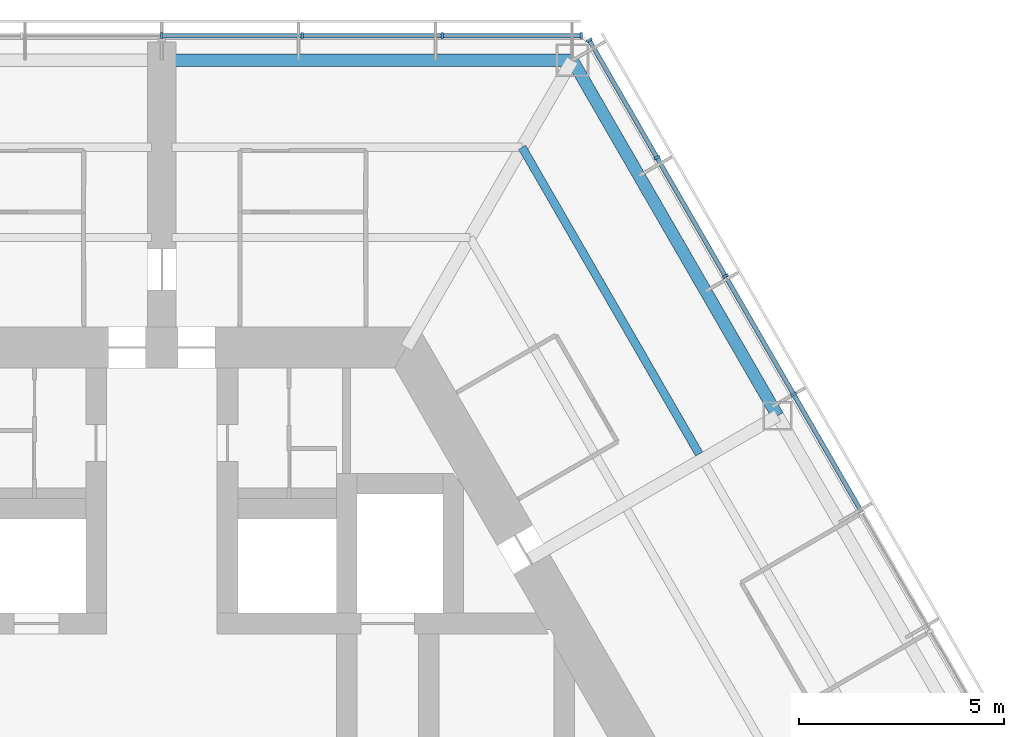
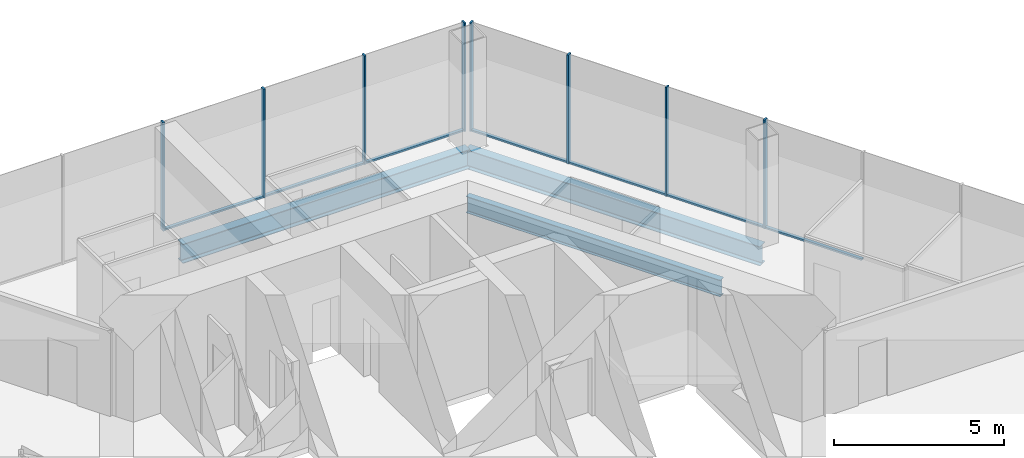
# One storey, part 8 of 18: 15 members, 3 beams, 2 elements without a shape of their own.
"""IFC4 building model written with IfcOpenShell, lengths in metres."""

import ifcopenshell
import ifcopenshell.guid

model = None  # the IFC model being written
_history = None  # IfcOwnerHistory: only IFC2X3 demands one
_inside = {}  # id of a spatial element -> (the spatial element, [elements in it])
_under = {}  # id of a project, library or spatial element -> (it, [spatial elements below it])
_declared = {}  # id of a project -> (the project, [libraries it declares])
_typed = {}  # id of a type object -> (the type object, [elements of that type])
_made_of = {}  # id of a material, layer set ... -> (it, [elements and type objects made of it])


def new_model(schema):
    """Start an empty IFC model of exactly this schema.

    Asked for "IFC4X3", IfcOpenShell would pick the latest addendum, in which some entities
    have other attributes; the version numbers below select the first issue.
    IFC2X3 requires an IfcOwnerHistory on every rooted entity: one is made here for all.
    """
    global model, _history
    if schema == "IFC4X3":
        model = ifcopenshell.file(schema_version=(4, 3, 0, 0))
    else:
        model = ifcopenshell.file(schema=schema)
    _inside.clear()
    _under.clear()
    _declared.clear()
    _typed.clear()
    _made_of.clear()
    _history = None
    if model.schema == "IFC2X3":
        org = make("IfcOrganization", Name="unknown")
        user = make(
            "IfcPersonAndOrganization",
            ThePerson=make("IfcPerson", FamilyName="unknown"),
            TheOrganization=org,
        )
        app = make(
            "IfcApplication",
            ApplicationDeveloper=org,
            Version="unknown",
            ApplicationFullName="unknown",
            ApplicationIdentifier="unknown",
        )
        _history = make(
            "IfcOwnerHistory",
            OwningUser=user,
            OwningApplication=app,
            ChangeAction="ADDED",
            CreationDate=0,
        )
    return model


def make(cls, **values):
    """One entity of the class cls with the attributes given. An attribute that is None is left unset."""
    return model.create_entity(
        cls, **{name: value for name, value in values.items() if value is not None}
    )


def rooted(cls, **values):
    """An entity with a GlobalId (a new one), such as an element, a storey or a relation."""
    return make(cls, GlobalId=ifcopenshell.guid.new(), OwnerHistory=_history, **values)


def si_unit(unit_type, name, prefix=None):
    """IfcSIUnit, for example si_unit("LENGTHUNIT", "METRE", prefix="MILLI")."""
    return make("IfcSIUnit", UnitType=unit_type, Prefix=prefix, Name=name)


def assignment(units):
    """IfcUnitAssignment: the units of a project."""
    return None if units is None else make("IfcUnitAssignment", Units=units)


def point(xyz):
    """IfcCartesianPoint."""
    return None if xyz is None else make("IfcCartesianPoint", Coordinates=xyz)


def direction(xyz):
    """IfcDirection."""
    return None if xyz is None else make("IfcDirection", DirectionRatios=xyz)


def frame(location, z_axis=None, x_axis=None):
    """IfcAxis2Placement3D, a coordinate frame: its origin and axes. An axis left out is left unset."""
    return make(
        "IfcAxis2Placement3D",
        Location=point(location),
        Axis=direction(z_axis),
        RefDirection=direction(x_axis),
    )


def frame_2d(location, x_axis=None):
    """IfcAxis2Placement2D, a coordinate frame in the plane: its origin and x axis."""
    return make(
        "IfcAxis2Placement2D", Location=point(location), RefDirection=direction(x_axis)
    )


def origin():
    """The frame at (0, 0, 0) with its axes left unset."""
    return frame((0.0, 0.0, 0.0))


def origin_2d():
    """The frame at (0, 0) in the plane with its x axis left unset."""
    return frame_2d((0.0, 0.0))


def place(relative_to, where):
    """IfcLocalPlacement: puts the frame where relative to a parent placement (None: the world)."""
    return make(
        "IfcLocalPlacement", PlacementRelTo=relative_to, RelativePlacement=where
    )


def context(
    kind, dimensions, precision=None, world=None, true_north=None, identifier=None
):
    """IfcGeometricRepresentationContext, for example the 3D "Model" context."""
    return make(
        "IfcGeometricRepresentationContext",
        ContextIdentifier=identifier,
        ContextType=kind,
        CoordinateSpaceDimension=dimensions,
        Precision=precision,
        WorldCoordinateSystem=world,
        TrueNorth=true_north,
    )


def subcontext(parent, identifier, kind, view, scale=None):
    """IfcGeometricRepresentationSubContext, for example "Body" below "Model"."""
    return make(
        "IfcGeometricRepresentationSubContext",
        ContextIdentifier=identifier,
        ContextType=kind,
        ParentContext=parent,
        TargetScale=scale,
        TargetView=view,
    )


def project(units=None, contexts=None):
    """IfcProject with its units and contexts."""
    return rooted(
        "IfcProject",
        Name="project",
        RepresentationContexts=contexts,
        UnitsInContext=assignment(units),
    )


def spatial(cls, under=None, at=None, **own):
    """A site, building, storey or space (cls), placed at a placement, below another one or the project."""
    s = rooted(cls, ObjectPlacement=at, **own)
    if under is not None:
        _under.setdefault(under.id(), (under, []))[1].append(s)
    return s


def profile(cls, at=None, kind="AREA", **sizes):
    """A parametric profile (cls). Its sizes go by their IFC names, for example OverallWidth=200.0."""
    return make(cls, ProfileType=kind, Position=at, **sizes)


def rectangle(**sizes):
    """IfcRectangleProfileDef."""
    return profile("IfcRectangleProfileDef", **sizes)


def i_section(**sizes):
    """IfcIShapeProfileDef."""
    return profile("IfcIShapeProfileDef", **sizes)


def extrude(swept, where, along, depth):
    """IfcExtrudedAreaSolid: the profile swept, set in the frame where, extruded along a direction by depth."""
    return make(
        "IfcExtrudedAreaSolid",
        SweptArea=swept,
        Position=where,
        ExtrudedDirection=direction(along),
        Depth=depth,
    )


def shape(context_of_items, identifier, shape_type, items):
    """IfcShapeRepresentation: the items that make up one representation, for example the "Body"."""
    return make(
        "IfcShapeRepresentation",
        ContextOfItems=context_of_items,
        RepresentationIdentifier=identifier,
        RepresentationType=shape_type,
        Items=items,
    )


def material(Name=None, Category=None):
    """IfcMaterial."""
    return make("IfcMaterial", Name=Name, Category=Category)


def material_profile(
    of_material, cross_section, Name=None, Category=None, Priority=None
):
    """IfcMaterialProfile: a cross section and its material."""
    return make(
        "IfcMaterialProfile",
        Name=Name,
        Material=of_material,
        Profile=cross_section,
        Priority=Priority,
        Category=Category,
    )


def profile_set(profiles, Name=None, composite=None):
    """IfcMaterialProfileSet."""
    return make(
        "IfcMaterialProfileSet",
        Name=Name,
        MaterialProfiles=profiles,
        CompositeProfile=composite,
    )


def made_of(thing, what):
    """Note that an element or type object is made of a material, layer set ...; save() writes the relation."""
    if what is not None:
        _made_of.setdefault(what.id(), (what, []))[1].append(thing)
    return thing


def type_object(cls, material=None, **own):
    """A type object (cls), such as IfcWallType, which elements share."""
    return made_of(rooted(cls, **own), material)


def element(
    cls,
    number,
    at=None,
    inside=None,
    cuts=None,
    type_object=None,
    material=None,
    context=None,
    identifier="Body",
    shape_type=None,
    held_by="IfcProductDefinitionShape",
    body=None,
    shapes=None,
    **own,
):
    """One element of the class cls, such as IfcWall. Its Tag is "e" and its number.

    at: its placement. inside: the storey or other place that contains it. cuts: it is an
    opening in that element (IfcRelVoidsElement). A single representation is given by context,
    identifier, shape_type and body (its items); several are given by shapes. held_by: the class
    of the entity that holds the representations. save() writes the other relations.
    """
    e = rooted(cls, Tag="e%d" % number, ObjectPlacement=at, **own)
    if body is not None:
        shapes = [shape(context, identifier, shape_type, body)]
    if shapes is not None:
        e.Representation = make(held_by, Representations=shapes)
    if inside is not None:
        _inside.setdefault(inside.id(), (inside, []))[1].append(e)
    if cuts is not None:
        rooted(
            "IfcRelVoidsElement", RelatingBuildingElement=cuts, RelatedOpeningElement=e
        )
    if type_object is not None:
        _typed.setdefault(type_object.id(), (type_object, []))[1].append(e)
    return made_of(e, material)


def aggregate(whole, parts):
    """IfcRelAggregates: a whole, such as a stair, and the parts it consists of."""
    return rooted("IfcRelAggregates", RelatingObject=whole, RelatedObjects=parts)


def save(model, path):
    """Write the relations noted so far, then the file.

    IfcRelAggregates (storeys below a building ...), IfcRelContainedInSpatialStructure (elements
    in a storey), IfcRelDefinesByType, IfcRelAssociatesMaterial and IfcRelDeclares: one each for
    every whole, place, type object, material and project.
    """
    for whole, parts in _under.values():
        aggregate(whole, parts)
    for where, things in _inside.values():
        rooted(
            "IfcRelContainedInSpatialStructure",
            RelatedElements=things,
            RelatingStructure=where,
        )
    for kind, things in _typed.values():
        rooted("IfcRelDefinesByType", RelatedObjects=things, RelatingType=kind)
    for what, things in _made_of.values():
        rooted("IfcRelAssociatesMaterial", RelatedObjects=things, RelatingMaterial=what)
    for by, libraries in _declared.values():
        rooted("IfcRelDeclares", RelatingContext=by, RelatedDefinitions=libraries)
    model.write(path)


model = new_model("IFC4")

# Units and contexts
model_context = context("Model", 3, precision=1e-05, world=origin(), true_north=direction((0.0, 1.0)))
body_context = subcontext(model_context, "Body", "Model", "MODEL_VIEW")
ifc_project = project(units=[si_unit("LENGTHUNIT", "METRE"), si_unit("AREAUNIT", "SQUARE_METRE"), si_unit("VOLUMEUNIT", "CUBIC_METRE"), si_unit("PLANEANGLEUNIT", "RADIAN"), si_unit("MASSUNIT", "GRAM", prefix="KILO")], contexts=[model_context])

# Site, building, storey
site_placement = place(None, origin())
site = spatial("IfcSite", under=ifc_project, at=site_placement, CompositionType="ELEMENT")
building_placement = place(site_placement, origin())
building = spatial("IfcBuilding", under=site, at=building_placement, Name="Kasaneha Research Tower", CompositionType="ELEMENT")
storey_placement = place(building_placement, frame((0.0, 0.0, 137.0)))
storey = spatial("IfcBuildingStorey", under=building, at=storey_placement, Name="L34", CompositionType="ELEMENT", Elevation=137.0)

# Beam
ifc_material_1 = material(Name="Steel SN490B", Category="steel")
ifc_material_profile_1 = material_profile(ifc_material_1, i_section(OverallWidth=0.199951171875, OverallDepth=0.60009765625, WebThickness=0.010986328125, FlangeThickness=0.01708984375, FilletRadius=0.012939453125, at=origin_2d()), Name="H-600x200x11x17")
ifc_profile_set_1 = profile_set([ifc_material_profile_1], Name="Steel SN490B")
beam_type_1 = type_object("IfcBeamType", Name="B1-3 secondary beam H-600x200x11x17", PredefinedType="JOIST", material=ifc_profile_set_1)
beam_1_placement = place(storey_placement, frame((8.775634765625, 15.199951171875, -0.449951171875), z_axis=(0.500017275495, -0.866015429543, 0.0), x_axis=(0.866015429543, 0.500017275495, 0.0)))
element("IfcBeam", 1, at=beam_1_placement, inside=storey, type_object=beam_type_1, Name="Secondary beam RS030R2 L34", PredefinedType="JOIST", context=body_context, shape_type="SweptSolid", body=[
    extrude(i_section(OverallWidth=0.199951171875, OverallDepth=0.60009765625, WebThickness=0.010986328125, FlangeThickness=0.01708984375, FilletRadius=0.012939453125, at=origin_2d()), origin(), (0.0, 0.0, 1.0), 8.625732421875),
])

# Curtain wall, members
ifc_material_2 = material(Name="Glass and aluminium", Category="aluminium")
curtain_wall_type = type_object("IfcCurtainWallType", Name="Mid-rise office curtain wall", PredefinedType="USERDEFINED", material=ifc_material_2)
curtain_wall_1_placement = place(storey_placement, origin())
curtain_wall_1 = element("IfcCurtainWall", 2, at=curtain_wall_1_placement, inside=storey, type_object=curtain_wall_type, Name="CW-O2 L34 run 06a", ObjectType="UNITISED CURTAIN WALL", PredefinedType="USERDEFINED")
ifc_material_3 = material(Name="Aluminium 6063-T6", Category="aluminium")
ifc_material_profile_2 = material_profile(ifc_material_3, rectangle(XDim=0.06005859375, YDim=0.14990234375, at=origin_2d()), Name="CW-O2 mullion 60x150")
ifc_profile_set_2 = profile_set([ifc_material_profile_2], Name="Aluminium 6063-T6")
member_type_1 = type_object("IfcMemberType", Name="CW-O2 mullion", PredefinedType="MULLION", material=ifc_profile_set_2)
member_1_placement = place(storey_placement, frame((15.392822265625, 9.179931640625, 0.0), z_axis=(0.0, 0.0, 1.0), x_axis=(-0.499999979232, 0.866025415775, 0.0)))
member_1 = element("IfcMember", 3, at=member_1_placement, type_object=member_type_1, Name="CW-O2 mullion 4", PredefinedType="MULLION", context=body_context, shape_type="SweptSolid", body=[
    extrude(rectangle(XDim=0.06005859375, YDim=0.14990234375, at=origin_2d()), origin(), (0.0, 0.0, 1.0), 3.89990234375),
])
member_2_placement = place(storey_placement, frame((13.727294921875, 12.064453125, 0.0), z_axis=(0.0, 0.0, 1.0), x_axis=(-0.499999979232, 0.866025415775, 0.0)))
member_2 = element("IfcMember", 4, at=member_2_placement, type_object=member_type_1, Name="CW-O2 mullion 5", PredefinedType="MULLION", context=body_context, shape_type="SweptSolid", body=[
    extrude(rectangle(XDim=0.06005859375, YDim=0.14990234375, at=origin_2d()), origin(), (0.0, 0.0, 1.0), 3.89990234375),
])
member_3_placement = place(storey_placement, frame((12.061767578125, 14.94921875, 0.0), z_axis=(0.0, 0.0, 1.0), x_axis=(-0.499999979232, 0.866025415775, 0.0)))
member_3 = element("IfcMember", 5, at=member_3_placement, type_object=member_type_1, Name="CW-O2 mullion 6", PredefinedType="MULLION", context=body_context, shape_type="SweptSolid", body=[
    extrude(rectangle(XDim=0.06005859375, YDim=0.14990234375, at=origin_2d()), origin(), (0.0, 0.0, 1.0), 3.89990234375),
])
member_4_placement = place(storey_placement, frame((10.411376953125, 17.807861328125, 0.0), z_axis=(0.0, 0.0, 1.0), x_axis=(-0.499999979232, 0.866025415775, 0.0)))
member_4 = element("IfcMember", 6, at=member_4_placement, type_object=member_type_1, Name="CW-O2 mullion 7", PredefinedType="MULLION", context=body_context, shape_type="SweptSolid", body=[
    extrude(rectangle(XDim=0.06005859375, YDim=0.14990234375, at=origin_2d()), origin(), (0.0, 0.0, 1.0), 3.89990234375),
])

curtain_wall_2_placement = place(storey_placement, origin())
curtain_wall_2 = element("IfcCurtainWall", 7, at=curtain_wall_2_placement, inside=storey, type_object=curtain_wall_type, Name="CW-O2 L34 run 07a", ObjectType="UNITISED CURTAIN WALL", PredefinedType="USERDEFINED")
member_5_placement = place(storey_placement, frame((10.21630859375, 17.92041015625, 0.0), z_axis=(0.0, 0.0, 1.0), x_axis=(-1.0, 0.0, 0.0)))
member_5 = element("IfcMember", 8, at=member_5_placement, type_object=member_type_1, Name="CW-O2 mullion 1", PredefinedType="MULLION", context=body_context, shape_type="SweptSolid", body=[
    extrude(rectangle(XDim=0.06005859375, YDim=0.14990234375, at=origin_2d()), origin(), (0.0, 0.0, 1.0), 3.89990234375),
])
member_6_placement = place(storey_placement, frame((6.8310546875, 17.92041015625, 0.0), z_axis=(0.0, 0.0, 1.0), x_axis=(-1.0, 0.0, 0.0)))
member_6 = element("IfcMember", 9, at=member_6_placement, type_object=member_type_1, Name="CW-O2 mullion 2", PredefinedType="MULLION", context=body_context, shape_type="SweptSolid", body=[
    extrude(rectangle(XDim=0.06005859375, YDim=0.14990234375, at=origin_2d()), origin(), (0.0, 0.0, 1.0), 3.89990234375),
])
member_7_placement = place(storey_placement, frame((3.41552734375, 17.92041015625, 0.0), z_axis=(0.0, 0.0, 1.0), x_axis=(-1.0, 0.0, 0.0)))
member_7 = element("IfcMember", 10, at=member_7_placement, type_object=member_type_1, Name="CW-O2 mullion 3", PredefinedType="MULLION", context=body_context, shape_type="SweptSolid", body=[
    extrude(rectangle(XDim=0.06005859375, YDim=0.14990234375, at=origin_2d()), origin(), (0.0, 0.0, 1.0), 3.89990234375),
])
member_8_placement = place(storey_placement, frame((0.0, 17.92041015625, 0.0), z_axis=(0.0, 0.0, 1.0), x_axis=(-1.0, 0.0, 0.0)))
member_8 = element("IfcMember", 11, at=member_8_placement, type_object=member_type_1, Name="CW-O2 mullion 4", PredefinedType="MULLION", context=body_context, shape_type="SweptSolid", body=[
    extrude(rectangle(XDim=0.06005859375, YDim=0.14990234375, at=origin_2d()), origin(), (0.0, 0.0, 1.0), 3.89990234375),
])

# Member
ifc_material_4 = material(Name="Aluminium 6063-T6", Category="aluminium")
ifc_material_profile_3 = material_profile(ifc_material_4, rectangle(XDim=0.110107421875, YDim=0.06005859375, at=origin_2d()), Name="CW-O2 transom 110x60")
ifc_profile_set_3 = profile_set([ifc_material_profile_3], Name="Aluminium 6063-T6")
member_type_2 = type_object("IfcMemberType", Name="CW-O2 transom", PredefinedType="USERDEFINED", material=ifc_profile_set_3)
member_9_placement = place(storey_placement, frame((17.043212890625, 6.3212890625, 0.030029296875), z_axis=(-0.50003259116, 0.866006586452, 0.0), x_axis=(-0.866006586452, -0.50003259116, 0.0)))
member_9 = element("IfcMember", 12, at=member_9_placement, type_object=member_type_2, Name="CW-O2 transom 3", ObjectType="TRANSOM", PredefinedType="USERDEFINED", context=body_context, shape_type="SweptSolid", body=[
    extrude(rectangle(XDim=0.110107421875, YDim=0.06005859375, at=origin_2d()), origin(), (0.0, 0.0, 1.0), 3.270751953125),
])

member_10_placement = place(storey_placement, frame((15.3779296875, 9.205810546875, 0.030029296875), z_axis=(-0.500000270186, 0.866025247793, 0.0), x_axis=(-0.866025247793, -0.500000270186, 0.0)))
member_10 = element("IfcMember", 13, at=member_10_placement, type_object=member_type_2, Name="CW-O2 transom 4", ObjectType="TRANSOM", PredefinedType="USERDEFINED", context=body_context, shape_type="SweptSolid", body=[
    extrude(rectangle(XDim=0.110107421875, YDim=0.06005859375, at=origin_2d()), origin(), (0.0, 0.0, 1.0), 3.27099609375),
])

member_11_placement = place(storey_placement, frame((13.71240234375, 12.090576171875, 0.030029296875), z_axis=(-0.500000270186, 0.866025247793, 0.0), x_axis=(-0.866025247793, -0.500000270186, 0.0)))
member_11 = element("IfcMember", 14, at=member_11_placement, type_object=member_type_2, Name="CW-O2 transom 5", ObjectType="TRANSOM", PredefinedType="USERDEFINED", context=body_context, shape_type="SweptSolid", body=[
    extrude(rectangle(XDim=0.110107421875, YDim=0.06005859375, at=origin_2d()), origin(), (0.0, 0.0, 1.0), 3.27099609375),
])

member_12_placement = place(storey_placement, frame((12.046875, 14.97509765625, 0.030029296875), z_axis=(-0.499955025697, 0.866051368154, 0.0), x_axis=(-0.866051368154, -0.499955025697, 0.0)))
member_12 = element("IfcMember", 15, at=member_12_placement, type_object=member_type_2, Name="CW-O2 transom 6", ObjectType="TRANSOM", PredefinedType="USERDEFINED", context=body_context, shape_type="SweptSolid", body=[
    extrude(rectangle(XDim=0.110107421875, YDim=0.06005859375, at=origin_2d()), origin(), (0.0, 0.0, 1.0), 3.240966796875),
])

aggregate(curtain_wall_1, [member_1, member_2, member_3, member_4, member_9, member_10, member_11, member_12])

member_13_placement = place(storey_placement, frame((10.1865234375, 17.92041015625, 0.030029296875), z_axis=(-1.0, 0.0, 0.0), x_axis=(0.0, -1.0, 0.0)))
member_13 = element("IfcMember", 16, at=member_13_placement, type_object=member_type_2, Name="CW-O2 transom 1", ObjectType="TRANSOM", PredefinedType="USERDEFINED", context=body_context, shape_type="SweptSolid", body=[
    extrude(rectangle(XDim=0.110107421875, YDim=0.06005859375, at=origin_2d()), origin(), (0.0, 0.0, 1.0), 3.32568359375),
])

member_14_placement = place(storey_placement, frame((6.801025390625, 17.92041015625, 0.030029296875), z_axis=(-1.0, 0.0, 0.0), x_axis=(0.0, -1.0, 0.0)))
member_14 = element("IfcMember", 17, at=member_14_placement, type_object=member_type_2, Name="CW-O2 transom 2", ObjectType="TRANSOM", PredefinedType="USERDEFINED", context=body_context, shape_type="SweptSolid", body=[
    extrude(rectangle(XDim=0.110107421875, YDim=0.06005859375, at=origin_2d()), origin(), (0.0, 0.0, 1.0), 3.35546875),
])

member_15_placement = place(storey_placement, frame((3.385498046875, 17.92041015625, 0.030029296875), z_axis=(-1.0, 0.0, 0.0), x_axis=(0.0, -1.0, 0.0)))
member_15 = element("IfcMember", 18, at=member_15_placement, type_object=member_type_2, Name="CW-O2 transom 3", ObjectType="TRANSOM", PredefinedType="USERDEFINED", context=body_context, shape_type="SweptSolid", body=[
    extrude(rectangle(XDim=0.110107421875, YDim=0.06005859375, at=origin_2d()), origin(), (0.0, 0.0, 1.0), 3.35546875),
])

aggregate(curtain_wall_2, [member_5, member_6, member_7, member_8, member_13, member_14, member_15])

# Beams
ifc_material_5 = material(Name="Steel SN490B", Category="steel")
ifc_material_profile_4 = material_profile(ifc_material_5, i_section(OverallWidth=0.300048828125, OverallDepth=0.69189453125, WebThickness=0.012939453125, FlangeThickness=0.02001953125, FilletRadius=0.01806640625, at=origin_2d()), Name="H-692x300x13x20")
ifc_profile_set_4 = profile_set([ifc_material_profile_4], Name="Steel SN490B")
beam_type_2 = type_object("IfcBeamType", Name="G3-3 plate edge girder H-692x300x13x20", PredefinedType="BEAM", material=ifc_profile_set_4)
beam_2_placement = place(storey_placement, frame((10.0, 17.320556640625, -0.49609375), z_axis=(-1.0, 0.0, 0.0), x_axis=(0.0, -1.0, 0.0)))
element("IfcBeam", 19, at=beam_2_placement, inside=storey, type_object=beam_type_2, Name="Plate edge girder PEAP L34", PredefinedType="BEAM", context=body_context, shape_type="SweptSolid", body=[
    extrude(i_section(OverallWidth=0.300048828125, OverallDepth=0.69189453125, WebThickness=0.012939453125, FlangeThickness=0.02001953125, FilletRadius=0.01806640625, at=origin_2d()), origin(), (0.0, 0.0, 1.0), 9.75),
])
ifc_material_6 = material(Name="Steel SN490B", Category="steel")
ifc_material_profile_5 = material_profile(ifc_material_6, i_section(OverallWidth=0.300048828125, OverallDepth=0.69189453125, WebThickness=0.012939453125, FlangeThickness=0.02001953125, FilletRadius=0.01806640625, at=origin_2d()), Name="H-692x300x13x20")
ifc_profile_set_5 = profile_set([ifc_material_profile_5], Name="Steel SN490B")
beam_type_3 = type_object("IfcBeamType", Name="SB1-3 spandrel beam H-692x300x13x20", PredefinedType="SPANDREL", material=ifc_profile_set_5)
beam_3_placement = place(storey_placement, frame((10.0, 17.320556640625, -0.49609375), z_axis=(0.499993662806, -0.866029062534, 0.0), x_axis=(0.866029062534, 0.499993662806, 0.0)))
element("IfcBeam", 20, at=beam_3_placement, inside=storey, type_object=beam_type_3, Name="Spandrel beam SR030R L34", PredefinedType="SPANDREL", context=body_context, shape_type="SweptSolid", body=[
    extrude(i_section(OverallWidth=0.300048828125, OverallDepth=0.69189453125, WebThickness=0.012939453125, FlangeThickness=0.02001953125, FilletRadius=0.01806640625, at=origin_2d()), origin(), (0.0, 0.0, 1.0), 10.000244140625),
])

save(model, "model.ifc")
